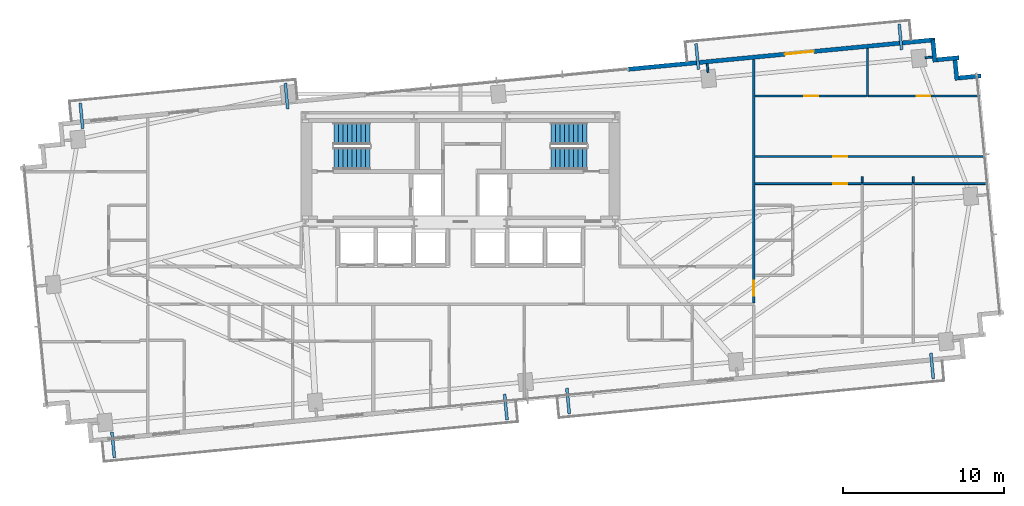
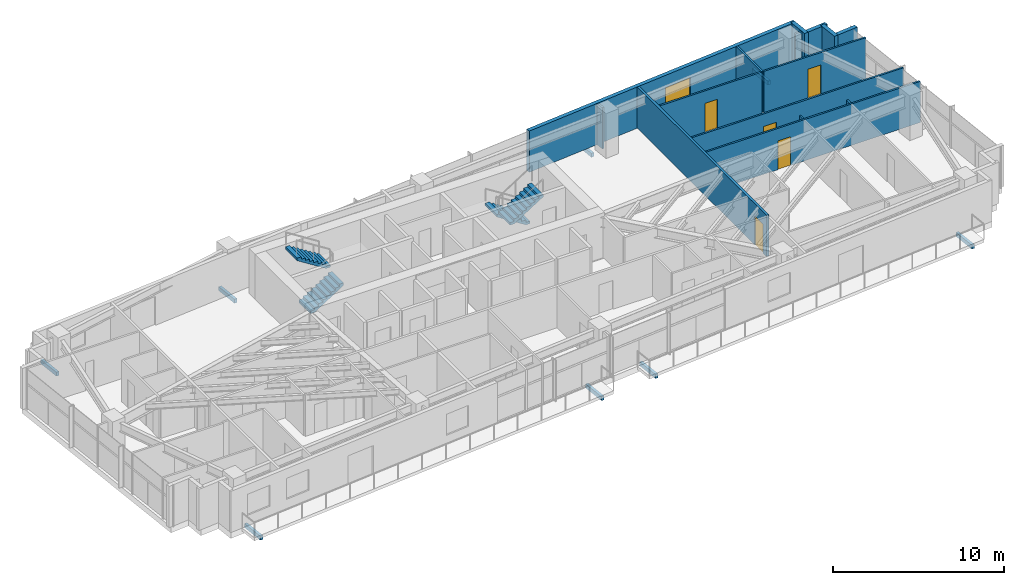
# One storey, part 22 of 25: 15 walls, 8 discrete accessories, 6 doors, 4 stair flights, 6 openings, 2 elements without a shape of their own.
"""IFC4 building model written with IfcOpenShell, lengths in metres."""

from ifc_helpers import new_model, si_unit, direction, frame, frame_2d, origin, origin_2d, place, context, subcontext, project, spatial, polyline, rectangle, outline, extrude, source, transform, mapped, material, layer, layer_set, type_object, type_shapes, element, fill, aggregate, save


model = new_model("IFC4")

# Units and contexts
model_context = context("Model", 3, precision=1e-05, world=origin(), true_north=direction((0.0, 1.0)))
body_context = subcontext(model_context, "Body", "Model", "MODEL_VIEW")
ifc_project = project(units=[si_unit("LENGTHUNIT", "METRE"), si_unit("AREAUNIT", "SQUARE_METRE"), si_unit("VOLUMEUNIT", "CUBIC_METRE"), si_unit("PLANEANGLEUNIT", "RADIAN"), si_unit("MASSUNIT", "GRAM", prefix="KILO")], contexts=[model_context])

# Site, building, storey
site_placement = place(None, origin())
site = spatial("IfcSite", under=ifc_project, at=site_placement, CompositionType="ELEMENT")
building_placement = place(site_placement, origin())
building = spatial("IfcBuilding", under=site, at=building_placement, Name="Astriad Promenade Condominiums", CompositionType="ELEMENT")
storey_placement = place(building_placement, frame((0.0, 0.0, 77.800048828125)))
storey = spatial("IfcBuildingStorey", under=building, at=storey_placement, Name="L21", CompositionType="ELEMENT", Elevation=77.800048828125)

# Wall, opening, door
ifc_material_1 = material(Name="Fire-Rated Gypsum Partition")
ifc_layer_1 = layer(ifc_material_1, 0.159912109375)
ifc_layer_set_1 = layer_set([ifc_layer_1], Name="Fire-Rated Gypsum Partition")
wall_type_1 = type_object("IfcWallType", Name="WALL-CORR-160", PredefinedType="PARTITIONING", material=ifc_layer_set_1)
wall_1_placement = place(storey_placement, frame((54.199951171875, 12.431884765625, 0.0), z_axis=(0.0, 0.0, 1.0), x_axis=(0.0, 1.0, 0.0)))
wall_1 = element("IfcWall", 1, at=wall_1_placement, inside=storey, type_object=wall_type_1, Name="PT-COR-E-L21-S2", PredefinedType="PARTITIONING", context=body_context, shape_type="SweptSolid", body=[
    extrude(rectangle(XDim=15.095458984375, YDim=0.159912109375, at=frame_2d((7.5478515625, 0.0))), origin(), (0.0, 0.0, 1.0), 2.93994140625),
])
opening_1_placement = place(wall_1_placement, frame((0.428955078125, 0.0, 0.0)))
opening_1 = element("IfcOpeningElement", 2, at=opening_1_placement, cuts=wall_1, Name="Opening FD60-APT-095", PredefinedType="OPENING", context=body_context, shape_type="SweptSolid", body=[
    extrude(rectangle(XDim=0.949951171875, YDim=2.06005859375, at=frame_2d((0.47509765625, 1.030029296875))), frame((0.0, 0.08984375, 0.0), z_axis=(0.0, -1.0, 0.0), x_axis=(1.0, 0.0, 0.0)), (0.0, 0.0, 1.0), 0.179931640625),
])
ifc_material_2 = material(Name="Solid-Core Acoustic Timber Residence Entry Door", Category="wood")
door_type_1 = type_object("IfcDoorType", Name="FD60-APT-095", OperationType="NOTDEFINED", PredefinedType="DOOR", material=ifc_material_2)
shared_shape_1 = source(origin(), body_context, "Body", "SweptSolid", [
    extrude(rectangle(XDim=0.949951171875, YDim=2.06005859375, at=frame_2d((0.47509765625, 1.030029296875))), frame((0.0, 0.02490234375, 0.0), z_axis=(0.0, -1.0, 0.0), x_axis=(1.0, 0.0, 0.0)), (0.0, 0.0, 1.0), 0.050048828125),
])
type_shapes(door_type_1, [shared_shape_1])
door_1_placement = place(opening_1_placement, origin())
door_1 = element("IfcDoor", 3, at=door_1_placement, inside=storey, type_object=door_type_1, Name="D-ENT-L21-E1", OperationType="SINGLE_SWING_LEFT", OverallHeight=2.06005859375, OverallWidth=0.949951171875, PredefinedType="DOOR", context=body_context, shape_type="MappedRepresentation", body=[
    mapped(shared_shape_1, transform((0.0, 0.0, 0.0), scale=1.0)),
])
fill(opening_1, door_1)

ifc_material_3 = material(Name="Precast concrete C50/60", Category="concrete")
ifc_layer_2 = layer(ifc_material_3, 0.260009765625)
ifc_layer_set_2 = layer_set([ifc_layer_2], Name="Precast concrete C50/60")
wall_type_2 = type_object("IfcWallType", Name="WALL-EXT-TWR-260", PredefinedType="STANDARD", material=ifc_layer_set_2)
wall_2_placement = place(storey_placement, frame((46.40625, 26.90966796875, 0.0), z_axis=(0.0, 0.0, 1.0), x_axis=(0.995396638587, 0.095841180552, 0.0)))
wall_2 = element("IfcWall", 4, at=wall_2_placement, inside=storey, type_object=wall_type_2, Name="W-EXT-L21-N2", PredefinedType="STANDARD", context=body_context, shape_type="SweptSolid", body=[
    extrude(rectangle(XDim=19.110107421875, YDim=0.260009765625, at=frame_2d((9.55517578125, 0.0))), origin(), (0.0, 0.0, 1.0), 2.93994140625),
])
opening_2_placement = place(wall_2_placement, frame((9.77001953125, 0.0, 0.0)))
opening_2 = element("IfcOpeningElement", 5, at=opening_2_placement, cuts=wall_2, Name="Opening BD-1822-SLD", PredefinedType="OPENING", context=body_context, shape_type="SweptSolid", body=[
    extrude(rectangle(XDim=1.800048828125, YDim=2.06005859375, at=frame_2d((0.89990234375, 1.030029296875))), frame((0.0, 0.139892578125, 0.0), z_axis=(0.0, -1.0, 0.0), x_axis=(1.0, 0.0, 0.0)), (0.0, 0.0, 1.0), 0.280029296875),
])
ifc_material_4 = material(Name="Thermally Broken Aluminium Sliding Balcony Door", Category="aluminium")
door_type_2 = type_object("IfcDoorType", Name="BD-1822-SLD", OperationType="NOTDEFINED", PredefinedType="DOOR", material=ifc_material_4)
shared_shape_2 = source(origin(), body_context, "Body", "SweptSolid", [
    extrude(rectangle(XDim=1.800048828125, YDim=2.06005859375, at=frame_2d((0.89990234375, 1.030029296875))), frame((0.0, 0.02490234375, 0.0), z_axis=(0.0, -1.0, 0.0), x_axis=(1.0, 0.0, 0.0)), (0.0, 0.0, 1.0), 0.050048828125),
])
type_shapes(door_type_2, [shared_shape_2])
door_2_placement = place(opening_2_placement, origin())
door_2 = element("IfcDoor", 6, at=door_2_placement, inside=storey, type_object=door_type_2, Name="BD-L21-NE", OperationType="SLIDING_TO_RIGHT", OverallHeight=2.06005859375, OverallWidth=1.800048828125, PredefinedType="DOOR", context=body_context, shape_type="MappedRepresentation", body=[
    mapped(shared_shape_2, transform((0.0, 0.0, 0.0), scale=1.0)),
])
fill(opening_2, door_2)

# Walls
for number, where, z_axis, x_axis, name in (
    (7, (65.297607421875, 28.74365234375, 0.0), (0.0, 0.0, 1.0), (0.095725744959, -0.99540774648, 0.0), "W-SER-L21-09"),
    (8, (65.533203125, 27.49560546875, 0.0), (0.0, 0.0, 1.0), (0.99540774648, 0.095725744959, 0.0), "W-SER-L21-10"),
):
    element("IfcWall", number, at=place(storey_placement, frame(where, z_axis=z_axis, x_axis=x_axis)), inside=storey, type_object=wall_type_2, Name=name, PredefinedType="STANDARD", context=body_context, shape_type="SweptSolid", body=[
        extrude(rectangle(XDim=1.39501953125, YDim=0.260009765625, at=frame_2d((0.697509765625, 0.0))), origin(), (0.0, 0.0, 1.0), 2.93994140625),
    ])
wall_3_placement = place(storey_placement, frame((66.66162109375, 27.619140625, 0.0), z_axis=(0.0, 0.0, 1.0), x_axis=(0.095742423056, -0.99540614245, 0.0)))
element("IfcWall", 9, at=wall_3_placement, inside=storey, type_object=wall_type_2, Name="W-SER-L21-11", PredefinedType="STANDARD", context=body_context, shape_type="SweptSolid", body=[
    extrude(rectangle(XDim=1.394775390625, YDim=0.260009765625, at=frame_2d((0.697265625, 0.0))), origin(), (0.0, 0.0, 1.0), 2.93994140625),
])
wall_4_placement = place(storey_placement, frame((66.897216796875, 26.37109375, 0.0), z_axis=(0.0, 0.0, 1.0), x_axis=(0.995391056452, 0.09589913835, 0.0)))
element("IfcWall", 10, at=wall_4_placement, inside=storey, type_object=wall_type_2, Name="W-SER-L21-12", PredefinedType="STANDARD", context=body_context, shape_type="SweptSolid", body=[
    extrude(rectangle(XDim=1.39501953125, YDim=0.260009765625, at=frame_2d((0.697509765625, 0.0))), origin(), (0.0, 0.0, 1.0), 2.93994140625),
])
ifc_material_5 = material(Name="Acoustic Metal-Stud Gypsum Partition")
ifc_layer_3 = layer(ifc_material_5, 0.1201171875)
ifc_layer_set_3 = layer_set([ifc_layer_3], Name="Acoustic Metal-Stud Gypsum Partition")
wall_type_3 = type_object("IfcWallType", Name="WALL-PART-120", PredefinedType="PARTITIONING", material=ifc_layer_set_3)
wall_5_placement = place(storey_placement, frame((61.2451171875, 25.2548828125, 0.0), z_axis=(0.0, 0.0, 1.0), x_axis=(0.0, 1.0, 0.0)))
element("IfcWall", 11, at=wall_5_placement, inside=storey, type_object=wall_type_3, Name="PT-L21-E1-B1M", PredefinedType="PARTITIONING", context=body_context, shape_type="SweptSolid", body=[
    extrude(rectangle(XDim=2.950927734375, YDim=0.1201171875, at=frame_2d((1.4755859375, 0.0))), origin(), (0.0, 0.0, 1.0), 2.93994140625),
])

# Wall, opening, door
wall_6_placement = place(storey_placement, frame((54.281982421875, 25.2548828125, 0.0), z_axis=(0.0, 0.0, 1.0), x_axis=(1.0, 0.0, 0.0)))
wall_6 = element("IfcWall", 12, at=wall_6_placement, inside=storey, type_object=wall_type_3, Name="PT-L21-E1-B1", PredefinedType="PARTITIONING", context=body_context, shape_type="SweptSolid", body=[
    extrude(rectangle(XDim=6.901123046875, YDim=0.1201171875, at=frame_2d((3.45068359375, 0.0))), origin(), (0.0, 0.0, 1.0), 2.93994140625),
])
opening_3_placement = place(wall_6_placement, frame((3.055908203125, 0.0, 0.0)))
opening_3 = element("IfcOpeningElement", 13, at=opening_3_placement, cuts=wall_6, Name="Opening D-INT-085", PredefinedType="OPENING", context=body_context, shape_type="SweptSolid", body=[
    extrude(rectangle(XDim=0.85009765625, YDim=2.050048828125, at=frame_2d((0.425048828125, 1.02490234375))), frame((0.0, 0.070068359375, 0.0), z_axis=(0.0, -1.0, 0.0), x_axis=(1.0, 0.0, 0.0)), (0.0, 0.0, 1.0), 0.14013671875),
])
ifc_material_6 = material(Name="Painted Solid-Core Timber Room Door", Category="wood")
door_type_3 = type_object("IfcDoorType", Name="D-INT-085", OperationType="NOTDEFINED", PredefinedType="DOOR", material=ifc_material_6)
shared_shape_3 = source(origin(), body_context, "Body", "SweptSolid", [
    extrude(rectangle(XDim=0.85009765625, YDim=2.050048828125, at=frame_2d((0.425048828125, 1.02490234375))), frame((0.0, 0.02490234375, 0.0), z_axis=(0.0, -1.0, 0.0), x_axis=(1.0, 0.0, 0.0)), (0.0, 0.0, 1.0), 0.050048828125),
])
type_shapes(door_type_3, [shared_shape_3])
door_3_placement = place(opening_3_placement, origin())
door_3 = element("IfcDoor", 14, at=door_3_placement, inside=storey, type_object=door_type_3, Name="D-BD1-L21-E1", OperationType="SINGLE_SWING_RIGHT", OverallHeight=2.050048828125, OverallWidth=0.85009765625, PredefinedType="DOOR", context=body_context, shape_type="MappedRepresentation", body=[
    mapped(shared_shape_3, transform((0.0, 0.0, 0.0), scale=1.0)),
])
fill(opening_3, door_3)

wall_7_placement = place(storey_placement, frame((61.306884765625, 25.2548828125, 0.0), z_axis=(0.0, 0.0, 1.0), x_axis=(1.0, 0.0, 0.0)))
wall_7 = element("IfcWall", 15, at=wall_7_placement, inside=storey, type_object=wall_type_3, Name="PT-L21-E1-B1-S2", PredefinedType="PARTITIONING", context=body_context, shape_type="SweptSolid", body=[
    extrude(rectangle(XDim=6.888427734375, YDim=0.1201171875, at=frame_2d((3.4443359375, 0.0))), origin(), (0.0, 0.0, 1.0), 2.93994140625),
])
opening_4_placement = place(wall_7_placement, frame((2.9951171875, 0.0, 0.0)))
opening_4 = element("IfcOpeningElement", 16, at=opening_4_placement, cuts=wall_7, Name="Opening D-INT-085", PredefinedType="OPENING", context=body_context, shape_type="SweptSolid", body=[
    extrude(rectangle(XDim=0.85009765625, YDim=2.050048828125, at=frame_2d((0.425048828125, 1.02490234375))), frame((0.0, 0.070068359375, 0.0), z_axis=(0.0, -1.0, 0.0), x_axis=(1.0, 0.0, 0.0)), (0.0, 0.0, 1.0), 0.14013671875),
])
door_4_placement = place(opening_4_placement, origin())
door_4 = element("IfcDoor", 17, at=door_4_placement, inside=storey, type_object=door_type_3, Name="D-BD1B-L21-E1", OperationType="SINGLE_SWING_LEFT", OverallHeight=2.050048828125, OverallWidth=0.85009765625, PredefinedType="DOOR", context=body_context, shape_type="MappedRepresentation", body=[
    mapped(shared_shape_3, transform((0.0, 0.0, 0.0), scale=1.0)),
])
fill(opening_4, door_4)

wall_8_placement = place(storey_placement, frame((54.281982421875, 21.5048828125, 0.0), z_axis=(0.0, 0.0, 1.0), x_axis=(1.0, 0.0, 0.0)))
wall_8 = element("IfcWall", 18, at=wall_8_placement, inside=storey, type_object=wall_type_3, Name="PT-L21-E1-WDN1", PredefinedType="PARTITIONING", context=body_context, shape_type="SweptSolid", body=[
    extrude(rectangle(XDim=14.2744140625, YDim=0.1201171875, at=frame_2d((7.13720703125, 0.0))), origin(), (0.0, 0.0, 1.0), 2.93994140625),
])
opening_5_placement = place(wall_8_placement, frame((4.85302734375, 0.0, 0.0)))
opening_5 = element("IfcOpeningElement", 19, at=opening_5_placement, cuts=wall_8, Name="Opening D-INT-085", PredefinedType="OPENING", context=body_context, shape_type="SweptSolid", body=[
    extrude(rectangle(XDim=0.85009765625, YDim=2.050048828125, at=frame_2d((0.425048828125, 1.02490234375))), frame((0.0, 0.070068359375, 0.0), z_axis=(0.0, -1.0, 0.0), x_axis=(1.0, 0.0, 0.0)), (0.0, 0.0, 1.0), 0.14013671875),
])
door_5_placement = place(opening_5_placement, origin())
door_5 = element("IfcDoor", 20, at=door_5_placement, inside=storey, type_object=door_type_3, Name="D-WDN1-L21-E1", OperationType="SINGLE_SWING_RIGHT", OverallHeight=2.050048828125, OverallWidth=0.85009765625, PredefinedType="DOOR", context=body_context, shape_type="MappedRepresentation", body=[
    mapped(shared_shape_3, transform((0.0, 0.0, 0.0), scale=1.0)),
])
fill(opening_5, door_5)

wall_9_placement = place(storey_placement, frame((54.281982421875, 19.818115234375, 0.0), z_axis=(0.0, 0.0, 1.0), x_axis=(1.0, 0.0, 0.0)))
wall_9 = element("IfcWall", 21, at=wall_9_placement, inside=storey, type_object=wall_type_3, Name="PT-L21-E1-WDN3", PredefinedType="PARTITIONING", context=body_context, shape_type="SweptSolid", body=[
    extrude(rectangle(XDim=14.436767578125, YDim=0.1201171875, at=frame_2d((7.21826171875, 0.0))), origin(), (0.0, 0.0, 1.0), 2.93994140625),
])
opening_6_placement = place(wall_9_placement, frame((4.85302734375, 0.0, 0.0)))
opening_6 = element("IfcOpeningElement", 22, at=opening_6_placement, cuts=wall_9, Name="Opening D-INT-085", PredefinedType="OPENING", context=body_context, shape_type="SweptSolid", body=[
    extrude(rectangle(XDim=0.85009765625, YDim=2.050048828125, at=frame_2d((0.425048828125, 1.02490234375))), frame((0.0, 0.070068359375, 0.0), z_axis=(0.0, -1.0, 0.0), x_axis=(1.0, 0.0, 0.0)), (0.0, 0.0, 1.0), 0.14013671875),
])
door_6_placement = place(opening_6_placement, origin())
door_6 = element("IfcDoor", 23, at=door_6_placement, inside=storey, type_object=door_type_3, Name="D-WDN3-L21-E1", OperationType="SINGLE_SWING_RIGHT", OverallHeight=2.050048828125, OverallWidth=0.85009765625, PredefinedType="DOOR", context=body_context, shape_type="MappedRepresentation", body=[
    mapped(shared_shape_3, transform((0.0, 0.0, 0.0), scale=1.0)),
])
fill(opening_6, door_6)

# Walls
for number, where, z_axis, x_axis, name in (
    (24, (64.091064453125, 19.8798828125, 0.0), (0.0, 0.0, 1.0), (0.0, 1.0, 0.0), "PT-L21-E1-WDV4-S3"),
    (25, (60.909912109375, 19.8798828125, 0.0), (0.0, 0.0, 1.0), (0.0, 1.0, 0.0), "PT-L21-E1-WDV5-S3"),
):
    element("IfcWall", number, at=place(storey_placement, frame(where, z_axis=z_axis, x_axis=x_axis)), inside=storey, type_object=wall_type_3, Name=name, PredefinedType="PARTITIONING", context=body_context, shape_type="SweptSolid", body=[
        extrude(rectangle(XDim=0.378173828125, YDim=0.1201171875, at=frame_2d((0.18896484375, 0.0))), origin(), (0.0, 0.0, 1.0), 2.93994140625),
    ])
wall_10_placement = place(storey_placement, frame((51.35791015625, 26.71337890625, 0.0), z_axis=(0.0, 0.0, 1.0), x_axis=(-0.095772948675, 0.995403205893, 0.0)))
element("IfcWall", 26, at=wall_10_placement, inside=storey, type_object=wall_type_3, Name="PT-PIL-L21-PC09-16", PredefinedType="PARTITIONING", context=body_context, shape_type="SweptSolid", body=[
    extrude(rectangle(XDim=0.537841796875, YDim=0.1201171875, at=frame_2d((0.26904296875, 0.0))), origin(), (0.0, 0.0, 1.0), 2.93994140625),
])
wall_11_placement = place(storey_placement, frame((64.812255859375, 27.626953125, 0.0), z_axis=(0.0, 0.0, 1.0), x_axis=(0.995389482415, 0.095915474751, 0.0)))
element("IfcWall", 27, at=wall_11_placement, inside=storey, type_object=wall_type_3, Name="PT-PIL-L21-PC10-17", PredefinedType="PARTITIONING", context=body_context, shape_type="SweptSolid", body=[
    extrude(rectangle(XDim=0.458251953125, YDim=0.1201171875, at=frame_2d((0.22900390625, 0.0))), origin(), (0.0, 0.0, 1.0), 2.93994140625),
])

# Stair, stair flights
ifc_material_7 = material(Name="Concrete C50/60", Category="concrete")
stair_type = type_object("IfcStairType", Name="STR-CORE-1350", PredefinedType="HALF_TURN_STAIR", material=ifc_material_7)
stair_1_placement = place(storey_placement, origin())
stair_1 = element("IfcStair", 28, at=stair_1_placement, inside=storey, type_object=stair_type, Name="L21 Enclosed Core Exit Stair ST-1", PredefinedType="HALF_TURN_STAIR")
stair_flight_type = type_object("IfcStairFlightType", Name="SFL-CORE-1350", PredefinedType="STRAIGHT", material=ifc_material_7)
shared_shape_4 = source(origin(), body_context, "Body", "SweptSolid", [
    extrude(outline(polyline([(0.0, 0.0), (0.0, 0.177734375), (0.280029296875, 0.177734375), (0.280029296875, 0.35546875), (0.56005859375, 0.35546875), (0.56005859375, 0.533447265625), (0.840087890625, 0.533447265625), (0.840087890625, 0.711181640625), (1.1201171875, 0.711181640625), (1.1201171875, 0.888916015625), (1.39990234375, 0.888916015625), (1.39990234375, 1.066650390625), (1.679931640625, 1.066650390625), (1.679931640625, 1.244384765625), (1.9599609375, 1.244384765625), (1.9599609375, 1.422119140625), (2.239990234375, 1.422119140625), (2.239990234375, 1.60009765625), (2.239990234375, 1.24462890625), (0.27978515625, 0.0), (0.0, 0.0)])), frame((0.0, 0.675048828125, 0.0), z_axis=(0.0, -1.0, 0.0), x_axis=(1.0, 0.0, 0.0)), (0.0, 0.0, 1.0), 1.35009765625),
])
type_shapes(stair_flight_type, [shared_shape_4])
stair_flight_1_placement = place(storey_placement, frame((28.14990234375, 21.375, 0.0), z_axis=(0.0, 0.0, 1.0), x_axis=(1.0, 0.0, 0.0)))
stair_flight_1 = element("IfcStairFlight", 29, at=stair_flight_1_placement, type_object=stair_flight_type, Name="ST-1 flight 1", NumberOfRisers=9, NumberOfTreads=8, PredefinedType="STRAIGHT", RiserHeight=0.177777778, TreadLength=0.28, context=body_context, shape_type="MappedRepresentation", body=[
    mapped(shared_shape_4, transform((0.0, 0.0, 0.0), scale=1.0)),
])
stair_flight_2_placement = place(storey_placement, frame((30.389892578125, 22.925048828125, 1.599853515625), z_axis=(0.0, 0.0, 1.0), x_axis=(-1.0, 0.0, 0.0)))
stair_flight_2 = element("IfcStairFlight", 30, at=stair_flight_2_placement, type_object=stair_flight_type, Name="ST-1 flight 2", NumberOfRisers=9, NumberOfTreads=8, PredefinedType="STRAIGHT", RiserHeight=0.177777778, TreadLength=0.28, context=body_context, shape_type="MappedRepresentation", body=[
    mapped(shared_shape_4, transform((0.0, 0.0, 0.0), scale=1.0)),
])
aggregate(stair_1, [stair_flight_1, stair_flight_2])

stair_2_placement = place(storey_placement, origin())
stair_2 = element("IfcStair", 31, at=stair_2_placement, inside=storey, type_object=stair_type, Name="L21 Enclosed Core Exit Stair ST-2", PredefinedType="HALF_TURN_STAIR")
stair_flight_3_placement = place(storey_placement, frame((43.85009765625, 22.925048828125, 0.0), z_axis=(0.0, 0.0, 1.0), x_axis=(-1.0, 0.0, 0.0)))
stair_flight_3 = element("IfcStairFlight", 32, at=stair_flight_3_placement, type_object=stair_flight_type, Name="ST-2 flight 1", NumberOfRisers=9, NumberOfTreads=8, PredefinedType="STRAIGHT", RiserHeight=0.177777778, TreadLength=0.28, context=body_context, shape_type="MappedRepresentation", body=[
    mapped(shared_shape_4, transform((0.0, 0.0, 0.0), scale=1.0)),
])
stair_flight_4_placement = place(storey_placement, frame((41.610107421875, 21.375, 1.599853515625), z_axis=(0.0, 0.0, 1.0), x_axis=(1.0, 0.0, 0.0)))
stair_flight_4 = element("IfcStairFlight", 33, at=stair_flight_4_placement, type_object=stair_flight_type, Name="ST-2 flight 2", NumberOfRisers=9, NumberOfTreads=8, PredefinedType="STRAIGHT", RiserHeight=0.177777778, TreadLength=0.28, context=body_context, shape_type="MappedRepresentation", body=[
    mapped(shared_shape_4, transform((0.0, 0.0, 0.0), scale=1.0)),
])
aggregate(stair_2, [stair_flight_3, stair_flight_4])

# Discrete accessories
ifc_material_8 = material(Name="Steel ASTM A572 Grade 50", Category="steel")
discrete_accessory_type = type_object("IfcDiscreteAccessoryType", Name="STEEL BALCONY OUTRIGGER BRACKET", PredefinedType="BRACKET", material=ifc_material_8)
shared_shape_5 = source(origin(), body_context, "Body", "SweptSolid", [
    extrude(rectangle(XDim=1.60009765625, YDim=0.179931640625, at=origin_2d()), origin(), (0.0, 0.0, 1.0), 0.281982421875),
])
type_shapes(discrete_accessory_type, [shared_shape_5])
for number, where, z_axis, x_axis, name in (
    (34, (14.46728515625, 3.62109375, -0.5), (0.0, 0.0, 1.0), (0.09584575252, -0.995396198367, 0.0), "Balcony Outrigger Bracket BAL-L21-SW-A"),
    (35, (38.816650390625, 5.9658203125, -0.5), (0.0, 0.0, 1.0), (0.09584575252, -0.995396198367, 0.0), "Balcony Outrigger Bracket BAL-L21-SW-B"),
    (36, (42.677001953125, 6.33740234375, -0.5), (0.0, 0.0, 1.0), (0.09584575252, -0.995396198367, 0.0), "Balcony Outrigger Bracket BAL-L21-SE-A"),
    (37, (65.25244140625, 8.51123046875, -0.5), (0.0, 0.0, 1.0), (0.09584575252, -0.995396198367, 0.0), "Balcony Outrigger Bracket BAL-L21-SE-B"),
    (38, (12.50244140625, 24.026611328125, -0.5), (0.0, 0.0, 1.0), (-0.09584575252, 0.995396198367, 0.0), "Balcony Outrigger Bracket BAL-L21-NW-A"),
    (39, (25.2177734375, 25.251220703125, -0.5), (0.0, 0.0, 1.0), (-0.09584575252, 0.995396198367, 0.0), "Balcony Outrigger Bracket BAL-L21-NW-B"),
    (40, (50.68994140625, 27.703857421875, -0.5), (0.0, 0.0, 1.0), (-0.09584575252, 0.995396198367, 0.0), "Balcony Outrigger Bracket BAL-L21-NE-A"),
    (41, (63.28759765625, 28.916748046875, -0.5), (0.0, 0.0, 1.0), (-0.09584575252, 0.995396198367, 0.0), "Balcony Outrigger Bracket BAL-L21-NE-B"),
):
    element("IfcDiscreteAccessory", number, at=place(storey_placement, frame(where, z_axis=z_axis, x_axis=x_axis)), inside=storey, type_object=discrete_accessory_type, Name=name, PredefinedType="BRACKET", context=body_context, shape_type="MappedRepresentation", body=[
        mapped(shared_shape_5, transform((0.0, 0.0, 0.0), scale=1.0)),
    ])

save(model, "model.ifc")
